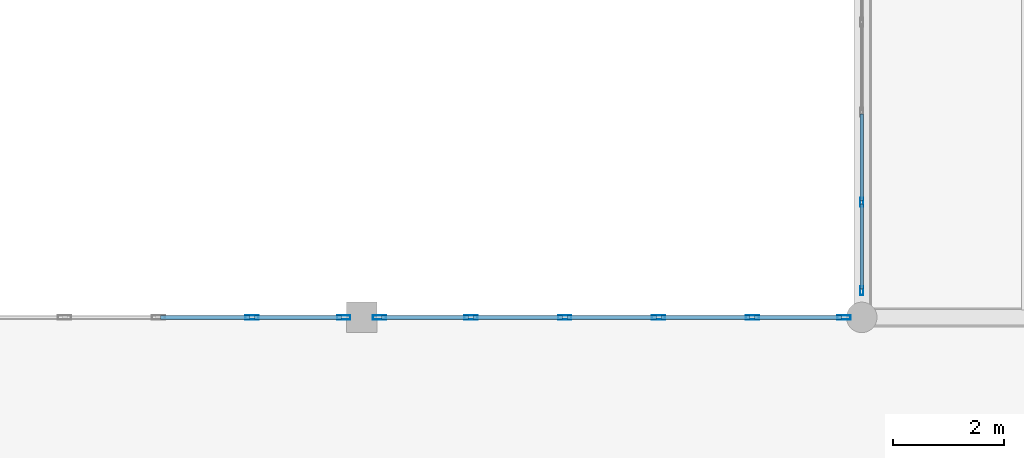
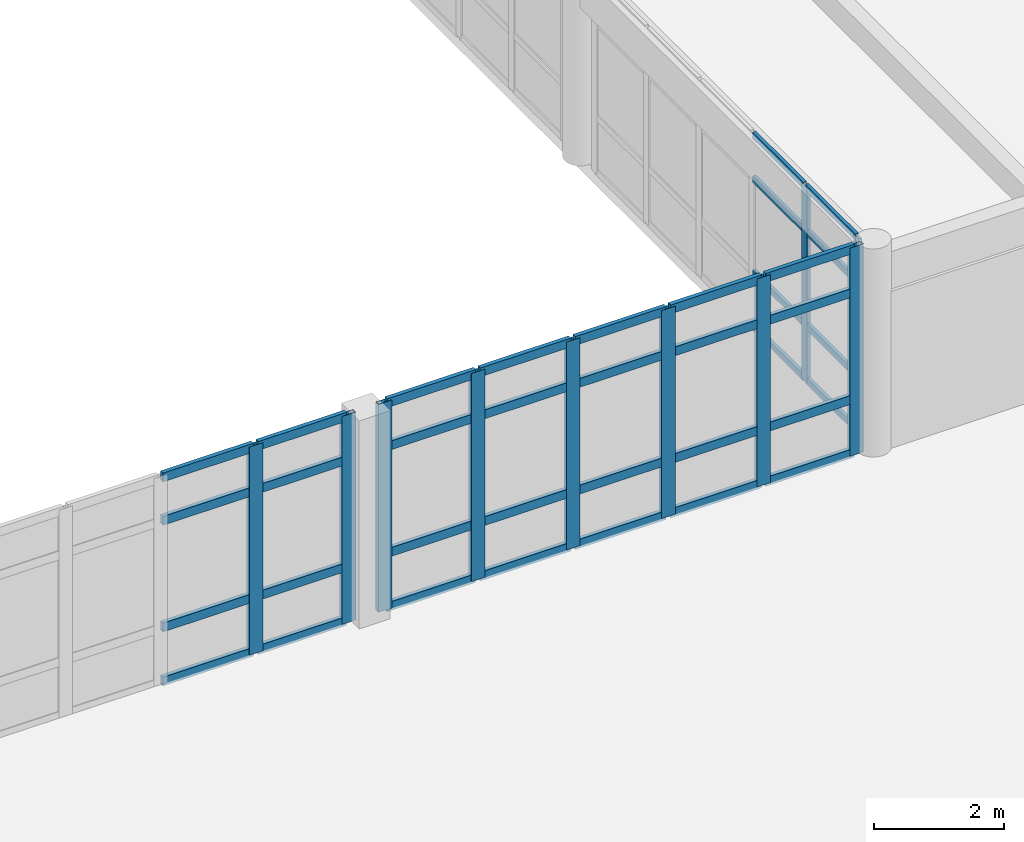
# One storey, part 27 of 156: 46 members, 3 elements without a shape of their own.
"""IFC4 building model written with IfcOpenShell, lengths in metres."""

from ifc_helpers import new_model, si_unit, direction, frame, origin, origin_2d, place, context, subcontext, project, spatial, hollow_rectangle, extrude, material, layer, layer_set, material_profile, profile_set, type_object, element, aggregate, save


model = new_model("IFC4")

# Units and contexts
model_context = context("Model", 3, precision=1e-05, world=origin(), true_north=direction((0.0, 1.0)))
body_context = subcontext(model_context, "Body", "Model", "MODEL_VIEW")
ifc_project = project(units=[si_unit("LENGTHUNIT", "METRE"), si_unit("AREAUNIT", "SQUARE_METRE"), si_unit("VOLUMEUNIT", "CUBIC_METRE"), si_unit("PLANEANGLEUNIT", "RADIAN"), si_unit("MASSUNIT", "GRAM", prefix="KILO")], contexts=[model_context])

# Site, building, storey
site_placement = place(None, origin())
site = spatial("IfcSite", under=ifc_project, at=site_placement, CompositionType="ELEMENT")
building_placement = place(site_placement, origin())
building = spatial("IfcBuilding", under=site, at=building_placement, Name="Ornek Quay Market", CompositionType="ELEMENT")
storey_placement = place(building_placement, frame((0.0, 0.0, 4.5)))
storey = spatial("IfcBuildingStorey", under=building, at=storey_placement, Name="L01", CompositionType="ELEMENT", Elevation=4.5)

# Curtain wall, members
ifc_material_1 = material(Name="Anodised bronze aluminium and triple low-e glass", Category="aluminium")
ifc_layer_1 = layer(ifc_material_1, 0.139892578125, Name="Anodised bronze aluminium and triple low-e glass", Category="aluminium")
ifc_layer_set_1 = layer_set([ifc_layer_1], Name="Anodised bronze aluminium and triple low-e glass")
curtain_wall_type_1 = type_object("IfcCurtainWallType", Name="CW-GALLERY-INT", PredefinedType="USERDEFINED", material=ifc_layer_set_1)
curtain_wall_1_placement = place(storey_placement, origin())
curtain_wall_1 = element("IfcCurtainWall", 1, at=curtain_wall_1_placement, inside=storey, type_object=curtain_wall_type_1, Name="Curtain wall CW-103", ObjectType="CURTAIN WALL", PredefinedType="USERDEFINED")
ifc_material_2 = material(Name="Anodised aluminium 6063-T6", Category="aluminium")
ifc_material_profile_1 = material_profile(ifc_material_2, hollow_rectangle(XDim=0.06005859375, YDim=0.159912109375, WallThickness=0.00390625, at=origin_2d()), Name="CW-MUL-60x160", Category="aluminium")
ifc_profile_set_1 = profile_set([ifc_material_profile_1], Name="Anodised aluminium 6063-T6")
member_type_1 = type_object("IfcMemberType", Name="CW-MUL-60x160", PredefinedType="MULLION", material=ifc_profile_set_1)
member_1_placement = place(storey_placement, frame((108.0, 29.47998046875, 0.0), z_axis=(0.0, 0.0, 1.0), x_axis=(-1.0, 0.0, 0.0)))
member_1 = element("IfcMember", 2, at=member_1_placement, type_object=member_type_1, Name="CW-103 mullion 1", PredefinedType="MULLION", context=body_context, shape_type="SweptSolid", body=[
    extrude(hollow_rectangle(XDim=0.06005859375, YDim=0.159912109375, WallThickness=0.00390625, at=origin_2d()), origin(), (0.0, 0.0, 1.0), 3.659912109375),
])
member_2_placement = place(storey_placement, frame((108.0, 31.070068359375, 0.0), z_axis=(0.0, 0.0, 1.0), x_axis=(-1.0, 0.0, 0.0)))
member_2 = element("IfcMember", 3, at=member_2_placement, type_object=member_type_1, Name="CW-103 mullion 2", PredefinedType="MULLION", context=body_context, shape_type="SweptSolid", body=[
    extrude(hollow_rectangle(XDim=0.06005859375, YDim=0.159912109375, WallThickness=0.00390625, at=origin_2d()), origin(), (0.0, 0.0, 1.0), 3.659912109375),
])

ifc_layer_2 = layer(ifc_material_1, 0.239990234375, Name="Anodised bronze aluminium and triple low-e glass", Category="aluminium")
ifc_layer_set_2 = layer_set([ifc_layer_2], Name="Anodised bronze aluminium and triple low-e glass")
curtain_wall_type_2 = type_object("IfcCurtainWallType", Name="CW-GAB-MOD1800", PredefinedType="USERDEFINED", material=ifc_layer_set_2)
curtain_wall_2_placement = place(storey_placement, origin())
curtain_wall_2 = element("IfcCurtainWall", 4, at=curtain_wall_2_placement, inside=storey, type_object=curtain_wall_type_2, Name="Curtain wall CW-071", ObjectType="CURTAIN WALL", PredefinedType="USERDEFINED")
ifc_material_profile_2 = material_profile(ifc_material_2, hollow_rectangle(XDim=0.080078125, YDim=0.239990234375, WallThickness=0.006103515625, at=origin_2d()), Name="CW-MUL-80x240", Category="aluminium")
ifc_profile_set_2 = profile_set([ifc_material_profile_2], Name="Anodised aluminium 6063-T6")
member_type_2 = type_object("IfcMemberType", Name="CW-MUL-80x240", PredefinedType="MULLION", material=ifc_profile_set_2)
member_3_placement = place(storey_placement, frame((97.031982421875, 29.0, 0.0), z_axis=(0.0, 0.0, 1.0), x_axis=(0.0, 1.0, 0.0)))
member_3 = element("IfcMember", 5, at=member_3_placement, type_object=member_type_2, Name="CW-071 mullion 5", PredefinedType="MULLION", context=body_context, shape_type="SweptSolid", body=[
    extrude(hollow_rectangle(XDim=0.080078125, YDim=0.239990234375, WallThickness=0.006103515625, at=origin_2d()), origin(), (0.0, 0.0, 1.0), 3.89990234375),
])
member_4_placement = place(storey_placement, frame((98.679931640625, 29.0, 0.0), z_axis=(0.0, 0.0, 1.0), x_axis=(0.0, 1.0, 0.0)))
member_4 = element("IfcMember", 6, at=member_4_placement, type_object=member_type_2, Name="CW-071 mullion 6", PredefinedType="MULLION", context=body_context, shape_type="SweptSolid", body=[
    extrude(hollow_rectangle(XDim=0.080078125, YDim=0.239990234375, WallThickness=0.006103515625, at=origin_2d()), origin(), (0.0, 0.0, 1.0), 3.89990234375),
])

curtain_wall_3_placement = place(storey_placement, origin())
curtain_wall_3 = element("IfcCurtainWall", 7, at=curtain_wall_3_placement, inside=storey, type_object=curtain_wall_type_2, Name="Curtain wall CW-074", ObjectType="CURTAIN WALL", PredefinedType="USERDEFINED")
member_5_placement = place(storey_placement, frame((99.320068359375, 29.0, 0.0), z_axis=(0.0, 0.0, 1.0), x_axis=(0.0, 1.0, 0.0)))
member_5 = element("IfcMember", 8, at=member_5_placement, type_object=member_type_2, Name="CW-074 mullion 1", PredefinedType="MULLION", context=body_context, shape_type="SweptSolid", body=[
    extrude(hollow_rectangle(XDim=0.080078125, YDim=0.239990234375, WallThickness=0.006103515625, at=origin_2d()), origin(), (0.0, 0.0, 1.0), 3.89990234375),
])
member_6_placement = place(storey_placement, frame((100.968017578125, 29.0, 0.0), z_axis=(0.0, 0.0, 1.0), x_axis=(0.0, 1.0, 0.0)))
member_6 = element("IfcMember", 9, at=member_6_placement, type_object=member_type_2, Name="CW-074 mullion 2", PredefinedType="MULLION", context=body_context, shape_type="SweptSolid", body=[
    extrude(hollow_rectangle(XDim=0.080078125, YDim=0.239990234375, WallThickness=0.006103515625, at=origin_2d()), origin(), (0.0, 0.0, 1.0), 3.89990234375),
])
member_7_placement = place(storey_placement, frame((102.656005859375, 29.0, 0.0), z_axis=(0.0, 0.0, 1.0), x_axis=(0.0, 1.0, 0.0)))
member_7 = element("IfcMember", 10, at=member_7_placement, type_object=member_type_2, Name="CW-074 mullion 3", PredefinedType="MULLION", context=body_context, shape_type="SweptSolid", body=[
    extrude(hollow_rectangle(XDim=0.080078125, YDim=0.239990234375, WallThickness=0.006103515625, at=origin_2d()), origin(), (0.0, 0.0, 1.0), 3.89990234375),
])
member_8_placement = place(storey_placement, frame((104.343994140625, 29.0, 0.0), z_axis=(0.0, 0.0, 1.0), x_axis=(0.0, 1.0, 0.0)))
member_8 = element("IfcMember", 11, at=member_8_placement, type_object=member_type_2, Name="CW-074 mullion 4", PredefinedType="MULLION", context=body_context, shape_type="SweptSolid", body=[
    extrude(hollow_rectangle(XDim=0.080078125, YDim=0.239990234375, WallThickness=0.006103515625, at=origin_2d()), origin(), (0.0, 0.0, 1.0), 3.89990234375),
])
member_9_placement = place(storey_placement, frame((106.031982421875, 29.0, 0.0), z_axis=(0.0, 0.0, 1.0), x_axis=(0.0, 1.0, 0.0)))
member_9 = element("IfcMember", 12, at=member_9_placement, type_object=member_type_2, Name="CW-074 mullion 5", PredefinedType="MULLION", context=body_context, shape_type="SweptSolid", body=[
    extrude(hollow_rectangle(XDim=0.080078125, YDim=0.239990234375, WallThickness=0.006103515625, at=origin_2d()), origin(), (0.0, 0.0, 1.0), 3.89990234375),
])
member_10_placement = place(storey_placement, frame((107.679931640625, 29.0, 0.0), z_axis=(0.0, 0.0, 1.0), x_axis=(0.0, 1.0, 0.0)))
member_10 = element("IfcMember", 13, at=member_10_placement, type_object=member_type_2, Name="CW-074 mullion 6", PredefinedType="MULLION", context=body_context, shape_type="SweptSolid", body=[
    extrude(hollow_rectangle(XDim=0.080078125, YDim=0.239990234375, WallThickness=0.006103515625, at=origin_2d()), origin(), (0.0, 0.0, 1.0), 3.89990234375),
])

# Member
ifc_material_profile_3 = material_profile(ifc_material_2, hollow_rectangle(XDim=0.06005859375, YDim=0.1201171875, WallThickness=0.00390625, at=origin_2d()), Name="CW-TRN-60x120", Category="aluminium")
ifc_profile_set_3 = profile_set([ifc_material_profile_3], Name="Anodised aluminium 6063-T6")
member_type_3 = type_object("IfcMemberType", Name="CW-TRN-60x120", PredefinedType="USERDEFINED", material=ifc_profile_set_3)
member_11_placement = place(storey_placement, frame((108.0, 29.510009765625, 0.030029296875), z_axis=(0.0, 1.0, 0.0), x_axis=(-1.0, 0.0, 0.0)))
member_11 = element("IfcMember", 14, at=member_11_placement, type_object=member_type_3, Name="CW-103 transom 1.1", ObjectType="TRANSOM", PredefinedType="USERDEFINED", context=body_context, shape_type="SweptSolid", body=[
    extrude(hollow_rectangle(XDim=0.06005859375, YDim=0.1201171875, WallThickness=0.00390625, at=origin_2d()), origin(), (0.0, 0.0, 1.0), 1.530029296875),
])

member_12_placement = place(storey_placement, frame((108.0, 29.510009765625, 1.050048828125), z_axis=(0.0, 1.0, 0.0), x_axis=(-1.0, 0.0, 0.0)))
member_12 = element("IfcMember", 15, at=member_12_placement, type_object=member_type_3, Name="CW-103 transom 1.2", ObjectType="TRANSOM", PredefinedType="USERDEFINED", context=body_context, shape_type="SweptSolid", body=[
    extrude(hollow_rectangle(XDim=0.06005859375, YDim=0.1201171875, WallThickness=0.00390625, at=origin_2d()), origin(), (0.0, 0.0, 1.0), 1.530029296875),
])

member_13_placement = place(storey_placement, frame((108.0, 29.510009765625, 2.81005859375), z_axis=(0.0, 1.0, 0.0), x_axis=(-1.0, 0.0, 0.0)))
member_13 = element("IfcMember", 16, at=member_13_placement, type_object=member_type_3, Name="CW-103 transom 1.3", ObjectType="TRANSOM", PredefinedType="USERDEFINED", context=body_context, shape_type="SweptSolid", body=[
    extrude(hollow_rectangle(XDim=0.06005859375, YDim=0.1201171875, WallThickness=0.00390625, at=origin_2d()), origin(), (0.0, 0.0, 1.0), 1.530029296875),
])

member_14_placement = place(storey_placement, frame((108.0, 29.510009765625, 3.6298828125), z_axis=(0.0, 1.0, 0.0), x_axis=(-1.0, 0.0, 0.0)))
member_14 = element("IfcMember", 17, at=member_14_placement, type_object=member_type_3, Name="CW-103 transom 1.4", ObjectType="TRANSOM", PredefinedType="USERDEFINED", context=body_context, shape_type="SweptSolid", body=[
    extrude(hollow_rectangle(XDim=0.06005859375, YDim=0.1201171875, WallThickness=0.00390625, at=origin_2d()), origin(), (0.0, 0.0, 1.0), 1.530029296875),
])

member_15_placement = place(storey_placement, frame((108.0, 31.10009765625, 0.030029296875), z_axis=(0.0, 1.0, 0.0), x_axis=(-1.0, 0.0, 0.0)))
member_15 = element("IfcMember", 18, at=member_15_placement, type_object=member_type_3, Name="CW-103 transom 2.1", ObjectType="TRANSOM", PredefinedType="USERDEFINED", context=body_context, shape_type="SweptSolid", body=[
    extrude(hollow_rectangle(XDim=0.06005859375, YDim=0.1201171875, WallThickness=0.00390625, at=origin_2d()), origin(), (0.0, 0.0, 1.0), 1.559814453125),
])

member_16_placement = place(storey_placement, frame((108.0, 31.10009765625, 1.050048828125), z_axis=(0.0, 1.0, 0.0), x_axis=(-1.0, 0.0, 0.0)))
member_16 = element("IfcMember", 19, at=member_16_placement, type_object=member_type_3, Name="CW-103 transom 2.2", ObjectType="TRANSOM", PredefinedType="USERDEFINED", context=body_context, shape_type="SweptSolid", body=[
    extrude(hollow_rectangle(XDim=0.06005859375, YDim=0.1201171875, WallThickness=0.00390625, at=origin_2d()), origin(), (0.0, 0.0, 1.0), 1.559814453125),
])

member_17_placement = place(storey_placement, frame((108.0, 31.10009765625, 2.81005859375), z_axis=(0.0, 1.0, 0.0), x_axis=(-1.0, 0.0, 0.0)))
member_17 = element("IfcMember", 20, at=member_17_placement, type_object=member_type_3, Name="CW-103 transom 2.3", ObjectType="TRANSOM", PredefinedType="USERDEFINED", context=body_context, shape_type="SweptSolid", body=[
    extrude(hollow_rectangle(XDim=0.06005859375, YDim=0.1201171875, WallThickness=0.00390625, at=origin_2d()), origin(), (0.0, 0.0, 1.0), 1.559814453125),
])

member_18_placement = place(storey_placement, frame((108.0, 31.10009765625, 3.6298828125), z_axis=(0.0, 1.0, 0.0), x_axis=(-1.0, 0.0, 0.0)))
member_18 = element("IfcMember", 21, at=member_18_placement, type_object=member_type_3, Name="CW-103 transom 2.4", ObjectType="TRANSOM", PredefinedType="USERDEFINED", context=body_context, shape_type="SweptSolid", body=[
    extrude(hollow_rectangle(XDim=0.06005859375, YDim=0.1201171875, WallThickness=0.00390625, at=origin_2d()), origin(), (0.0, 0.0, 1.0), 1.559814453125),
])

aggregate(curtain_wall_1, [member_1, member_2, member_11, member_12, member_13, member_14, member_15, member_16, member_17, member_18])

ifc_material_profile_4 = material_profile(ifc_material_2, hollow_rectangle(XDim=0.074951171875, YDim=0.1650390625, WallThickness=0.0048828125, at=origin_2d()), Name="CW-TRN-75x165", Category="aluminium")
ifc_profile_set_4 = profile_set([ifc_material_profile_4], Name="Anodised aluminium 6063-T6")
member_type_4 = type_object("IfcMemberType", Name="CW-TRN-75x165", PredefinedType="USERDEFINED", material=ifc_profile_set_4)
member_19_placement = place(storey_placement, frame((95.384033203125, 29.0, 0.03759765625), z_axis=(1.0, 0.0, 0.0), x_axis=(0.0, 1.0, 0.0)))
member_19 = element("IfcMember", 22, at=member_19_placement, type_object=member_type_4, Name="CW-071 transom 4.1", ObjectType="TRANSOM", PredefinedType="USERDEFINED", context=body_context, shape_type="SweptSolid", body=[
    extrude(hollow_rectangle(XDim=0.074951171875, YDim=0.1650390625, WallThickness=0.0048828125, at=origin_2d()), origin(), (0.0, 0.0, 1.0), 1.60791015625),
])

member_20_placement = place(storey_placement, frame((95.384033203125, 29.0, 1.050048828125), z_axis=(1.0, 0.0, 0.0), x_axis=(0.0, 1.0, 0.0)))
member_20 = element("IfcMember", 23, at=member_20_placement, type_object=member_type_4, Name="CW-071 transom 4.2", ObjectType="TRANSOM", PredefinedType="USERDEFINED", context=body_context, shape_type="SweptSolid", body=[
    extrude(hollow_rectangle(XDim=0.074951171875, YDim=0.1650390625, WallThickness=0.0048828125, at=origin_2d()), origin(), (0.0, 0.0, 1.0), 1.60791015625),
])

member_21_placement = place(storey_placement, frame((95.384033203125, 29.0, 3.050048828125), z_axis=(1.0, 0.0, 0.0), x_axis=(0.0, 1.0, 0.0)))
member_21 = element("IfcMember", 24, at=member_21_placement, type_object=member_type_4, Name="CW-071 transom 4.3", ObjectType="TRANSOM", PredefinedType="USERDEFINED", context=body_context, shape_type="SweptSolid", body=[
    extrude(hollow_rectangle(XDim=0.074951171875, YDim=0.1650390625, WallThickness=0.0048828125, at=origin_2d()), origin(), (0.0, 0.0, 1.0), 1.60791015625),
])

member_22_placement = place(storey_placement, frame((95.384033203125, 29.0, 3.862548828125), z_axis=(1.0, 0.0, 0.0), x_axis=(0.0, 1.0, 0.0)))
member_22 = element("IfcMember", 25, at=member_22_placement, type_object=member_type_4, Name="CW-071 transom 4.4", ObjectType="TRANSOM", PredefinedType="USERDEFINED", context=body_context, shape_type="SweptSolid", body=[
    extrude(hollow_rectangle(XDim=0.074951171875, YDim=0.1650390625, WallThickness=0.0048828125, at=origin_2d()), origin(), (0.0, 0.0, 1.0), 1.60791015625),
])

member_23_placement = place(storey_placement, frame((97.072021484375, 29.0, 0.03759765625), z_axis=(1.0, 0.0, 0.0), x_axis=(0.0, 1.0, 0.0)))
member_23 = element("IfcMember", 26, at=member_23_placement, type_object=member_type_4, Name="CW-071 transom 5.1", ObjectType="TRANSOM", PredefinedType="USERDEFINED", context=body_context, shape_type="SweptSolid", body=[
    extrude(hollow_rectangle(XDim=0.074951171875, YDim=0.1650390625, WallThickness=0.0048828125, at=origin_2d()), origin(), (0.0, 0.0, 1.0), 1.56787109375),
])

member_24_placement = place(storey_placement, frame((97.072021484375, 29.0, 1.050048828125), z_axis=(1.0, 0.0, 0.0), x_axis=(0.0, 1.0, 0.0)))
member_24 = element("IfcMember", 27, at=member_24_placement, type_object=member_type_4, Name="CW-071 transom 5.2", ObjectType="TRANSOM", PredefinedType="USERDEFINED", context=body_context, shape_type="SweptSolid", body=[
    extrude(hollow_rectangle(XDim=0.074951171875, YDim=0.1650390625, WallThickness=0.0048828125, at=origin_2d()), origin(), (0.0, 0.0, 1.0), 1.56787109375),
])

member_25_placement = place(storey_placement, frame((97.072021484375, 29.0, 3.050048828125), z_axis=(1.0, 0.0, 0.0), x_axis=(0.0, 1.0, 0.0)))
member_25 = element("IfcMember", 28, at=member_25_placement, type_object=member_type_4, Name="CW-071 transom 5.3", ObjectType="TRANSOM", PredefinedType="USERDEFINED", context=body_context, shape_type="SweptSolid", body=[
    extrude(hollow_rectangle(XDim=0.074951171875, YDim=0.1650390625, WallThickness=0.0048828125, at=origin_2d()), origin(), (0.0, 0.0, 1.0), 1.56787109375),
])

member_26_placement = place(storey_placement, frame((97.072021484375, 29.0, 3.862548828125), z_axis=(1.0, 0.0, 0.0), x_axis=(0.0, 1.0, 0.0)))
member_26 = element("IfcMember", 29, at=member_26_placement, type_object=member_type_4, Name="CW-071 transom 5.4", ObjectType="TRANSOM", PredefinedType="USERDEFINED", context=body_context, shape_type="SweptSolid", body=[
    extrude(hollow_rectangle(XDim=0.074951171875, YDim=0.1650390625, WallThickness=0.0048828125, at=origin_2d()), origin(), (0.0, 0.0, 1.0), 1.56787109375),
])

aggregate(curtain_wall_2, [member_3, member_4, member_19, member_20, member_21, member_22, member_23, member_24, member_25, member_26])

member_27_placement = place(storey_placement, frame((99.360107421875, 29.0, 0.03759765625), z_axis=(1.0, 0.0, 0.0), x_axis=(0.0, 1.0, 0.0)))
member_27 = element("IfcMember", 30, at=member_27_placement, type_object=member_type_4, Name="CW-074 transom 1.1", ObjectType="TRANSOM", PredefinedType="USERDEFINED", context=body_context, shape_type="SweptSolid", body=[
    extrude(hollow_rectangle(XDim=0.074951171875, YDim=0.1650390625, WallThickness=0.0048828125, at=origin_2d()), origin(), (0.0, 0.0, 1.0), 1.56787109375),
])

member_28_placement = place(storey_placement, frame((99.360107421875, 29.0, 1.050048828125), z_axis=(1.0, 0.0, 0.0), x_axis=(0.0, 1.0, 0.0)))
member_28 = element("IfcMember", 31, at=member_28_placement, type_object=member_type_4, Name="CW-074 transom 1.2", ObjectType="TRANSOM", PredefinedType="USERDEFINED", context=body_context, shape_type="SweptSolid", body=[
    extrude(hollow_rectangle(XDim=0.074951171875, YDim=0.1650390625, WallThickness=0.0048828125, at=origin_2d()), origin(), (0.0, 0.0, 1.0), 1.56787109375),
])

member_29_placement = place(storey_placement, frame((99.360107421875, 29.0, 3.050048828125), z_axis=(1.0, 0.0, 0.0), x_axis=(0.0, 1.0, 0.0)))
member_29 = element("IfcMember", 32, at=member_29_placement, type_object=member_type_4, Name="CW-074 transom 1.3", ObjectType="TRANSOM", PredefinedType="USERDEFINED", context=body_context, shape_type="SweptSolid", body=[
    extrude(hollow_rectangle(XDim=0.074951171875, YDim=0.1650390625, WallThickness=0.0048828125, at=origin_2d()), origin(), (0.0, 0.0, 1.0), 1.56787109375),
])

member_30_placement = place(storey_placement, frame((99.360107421875, 29.0, 3.862548828125), z_axis=(1.0, 0.0, 0.0), x_axis=(0.0, 1.0, 0.0)))
member_30 = element("IfcMember", 33, at=member_30_placement, type_object=member_type_4, Name="CW-074 transom 1.4", ObjectType="TRANSOM", PredefinedType="USERDEFINED", context=body_context, shape_type="SweptSolid", body=[
    extrude(hollow_rectangle(XDim=0.074951171875, YDim=0.1650390625, WallThickness=0.0048828125, at=origin_2d()), origin(), (0.0, 0.0, 1.0), 1.56787109375),
])

member_31_placement = place(storey_placement, frame((101.008056640625, 29.0, 0.03759765625), z_axis=(1.0, 0.0, 0.0), x_axis=(0.0, 1.0, 0.0)))
member_31 = element("IfcMember", 34, at=member_31_placement, type_object=member_type_4, Name="CW-074 transom 2.1", ObjectType="TRANSOM", PredefinedType="USERDEFINED", context=body_context, shape_type="SweptSolid", body=[
    extrude(hollow_rectangle(XDim=0.074951171875, YDim=0.1650390625, WallThickness=0.0048828125, at=origin_2d()), origin(), (0.0, 0.0, 1.0), 1.60791015625),
])

member_32_placement = place(storey_placement, frame((101.008056640625, 29.0, 1.050048828125), z_axis=(1.0, 0.0, 0.0), x_axis=(0.0, 1.0, 0.0)))
member_32 = element("IfcMember", 35, at=member_32_placement, type_object=member_type_4, Name="CW-074 transom 2.2", ObjectType="TRANSOM", PredefinedType="USERDEFINED", context=body_context, shape_type="SweptSolid", body=[
    extrude(hollow_rectangle(XDim=0.074951171875, YDim=0.1650390625, WallThickness=0.0048828125, at=origin_2d()), origin(), (0.0, 0.0, 1.0), 1.60791015625),
])

member_33_placement = place(storey_placement, frame((101.008056640625, 29.0, 3.050048828125), z_axis=(1.0, 0.0, 0.0), x_axis=(0.0, 1.0, 0.0)))
member_33 = element("IfcMember", 36, at=member_33_placement, type_object=member_type_4, Name="CW-074 transom 2.3", ObjectType="TRANSOM", PredefinedType="USERDEFINED", context=body_context, shape_type="SweptSolid", body=[
    extrude(hollow_rectangle(XDim=0.074951171875, YDim=0.1650390625, WallThickness=0.0048828125, at=origin_2d()), origin(), (0.0, 0.0, 1.0), 1.60791015625),
])

member_34_placement = place(storey_placement, frame((101.008056640625, 29.0, 3.862548828125), z_axis=(1.0, 0.0, 0.0), x_axis=(0.0, 1.0, 0.0)))
member_34 = element("IfcMember", 37, at=member_34_placement, type_object=member_type_4, Name="CW-074 transom 2.4", ObjectType="TRANSOM", PredefinedType="USERDEFINED", context=body_context, shape_type="SweptSolid", body=[
    extrude(hollow_rectangle(XDim=0.074951171875, YDim=0.1650390625, WallThickness=0.0048828125, at=origin_2d()), origin(), (0.0, 0.0, 1.0), 1.60791015625),
])

member_35_placement = place(storey_placement, frame((102.696044921875, 29.0, 0.03759765625), z_axis=(1.0, 0.0, 0.0), x_axis=(0.0, 1.0, 0.0)))
member_35 = element("IfcMember", 38, at=member_35_placement, type_object=member_type_4, Name="CW-074 transom 3.1", ObjectType="TRANSOM", PredefinedType="USERDEFINED", context=body_context, shape_type="SweptSolid", body=[
    extrude(hollow_rectangle(XDim=0.074951171875, YDim=0.1650390625, WallThickness=0.0048828125, at=origin_2d()), origin(), (0.0, 0.0, 1.0), 1.60791015625),
])

member_36_placement = place(storey_placement, frame((102.696044921875, 29.0, 1.050048828125), z_axis=(1.0, 0.0, 0.0), x_axis=(0.0, 1.0, 0.0)))
member_36 = element("IfcMember", 39, at=member_36_placement, type_object=member_type_4, Name="CW-074 transom 3.2", ObjectType="TRANSOM", PredefinedType="USERDEFINED", context=body_context, shape_type="SweptSolid", body=[
    extrude(hollow_rectangle(XDim=0.074951171875, YDim=0.1650390625, WallThickness=0.0048828125, at=origin_2d()), origin(), (0.0, 0.0, 1.0), 1.60791015625),
])

member_37_placement = place(storey_placement, frame((102.696044921875, 29.0, 3.050048828125), z_axis=(1.0, 0.0, 0.0), x_axis=(0.0, 1.0, 0.0)))
member_37 = element("IfcMember", 40, at=member_37_placement, type_object=member_type_4, Name="CW-074 transom 3.3", ObjectType="TRANSOM", PredefinedType="USERDEFINED", context=body_context, shape_type="SweptSolid", body=[
    extrude(hollow_rectangle(XDim=0.074951171875, YDim=0.1650390625, WallThickness=0.0048828125, at=origin_2d()), origin(), (0.0, 0.0, 1.0), 1.60791015625),
])

member_38_placement = place(storey_placement, frame((102.696044921875, 29.0, 3.862548828125), z_axis=(1.0, 0.0, 0.0), x_axis=(0.0, 1.0, 0.0)))
member_38 = element("IfcMember", 41, at=member_38_placement, type_object=member_type_4, Name="CW-074 transom 3.4", ObjectType="TRANSOM", PredefinedType="USERDEFINED", context=body_context, shape_type="SweptSolid", body=[
    extrude(hollow_rectangle(XDim=0.074951171875, YDim=0.1650390625, WallThickness=0.0048828125, at=origin_2d()), origin(), (0.0, 0.0, 1.0), 1.60791015625),
])

member_39_placement = place(storey_placement, frame((104.384033203125, 29.0, 0.03759765625), z_axis=(1.0, 0.0, 0.0), x_axis=(0.0, 1.0, 0.0)))
member_39 = element("IfcMember", 42, at=member_39_placement, type_object=member_type_4, Name="CW-074 transom 4.1", ObjectType="TRANSOM", PredefinedType="USERDEFINED", context=body_context, shape_type="SweptSolid", body=[
    extrude(hollow_rectangle(XDim=0.074951171875, YDim=0.1650390625, WallThickness=0.0048828125, at=origin_2d()), origin(), (0.0, 0.0, 1.0), 1.60791015625),
])

member_40_placement = place(storey_placement, frame((104.384033203125, 29.0, 1.050048828125), z_axis=(1.0, 0.0, 0.0), x_axis=(0.0, 1.0, 0.0)))
member_40 = element("IfcMember", 43, at=member_40_placement, type_object=member_type_4, Name="CW-074 transom 4.2", ObjectType="TRANSOM", PredefinedType="USERDEFINED", context=body_context, shape_type="SweptSolid", body=[
    extrude(hollow_rectangle(XDim=0.074951171875, YDim=0.1650390625, WallThickness=0.0048828125, at=origin_2d()), origin(), (0.0, 0.0, 1.0), 1.60791015625),
])

member_41_placement = place(storey_placement, frame((104.384033203125, 29.0, 3.050048828125), z_axis=(1.0, 0.0, 0.0), x_axis=(0.0, 1.0, 0.0)))
member_41 = element("IfcMember", 44, at=member_41_placement, type_object=member_type_4, Name="CW-074 transom 4.3", ObjectType="TRANSOM", PredefinedType="USERDEFINED", context=body_context, shape_type="SweptSolid", body=[
    extrude(hollow_rectangle(XDim=0.074951171875, YDim=0.1650390625, WallThickness=0.0048828125, at=origin_2d()), origin(), (0.0, 0.0, 1.0), 1.60791015625),
])

member_42_placement = place(storey_placement, frame((104.384033203125, 29.0, 3.862548828125), z_axis=(1.0, 0.0, 0.0), x_axis=(0.0, 1.0, 0.0)))
member_42 = element("IfcMember", 45, at=member_42_placement, type_object=member_type_4, Name="CW-074 transom 4.4", ObjectType="TRANSOM", PredefinedType="USERDEFINED", context=body_context, shape_type="SweptSolid", body=[
    extrude(hollow_rectangle(XDim=0.074951171875, YDim=0.1650390625, WallThickness=0.0048828125, at=origin_2d()), origin(), (0.0, 0.0, 1.0), 1.60791015625),
])

member_43_placement = place(storey_placement, frame((106.072021484375, 29.0, 0.03759765625), z_axis=(1.0, 0.0, 0.0), x_axis=(0.0, 1.0, 0.0)))
member_43 = element("IfcMember", 46, at=member_43_placement, type_object=member_type_4, Name="CW-074 transom 5.1", ObjectType="TRANSOM", PredefinedType="USERDEFINED", context=body_context, shape_type="SweptSolid", body=[
    extrude(hollow_rectangle(XDim=0.074951171875, YDim=0.1650390625, WallThickness=0.0048828125, at=origin_2d()), origin(), (0.0, 0.0, 1.0), 1.56787109375),
])

member_44_placement = place(storey_placement, frame((106.072021484375, 29.0, 1.050048828125), z_axis=(1.0, 0.0, 0.0), x_axis=(0.0, 1.0, 0.0)))
member_44 = element("IfcMember", 47, at=member_44_placement, type_object=member_type_4, Name="CW-074 transom 5.2", ObjectType="TRANSOM", PredefinedType="USERDEFINED", context=body_context, shape_type="SweptSolid", body=[
    extrude(hollow_rectangle(XDim=0.074951171875, YDim=0.1650390625, WallThickness=0.0048828125, at=origin_2d()), origin(), (0.0, 0.0, 1.0), 1.56787109375),
])

member_45_placement = place(storey_placement, frame((106.072021484375, 29.0, 3.050048828125), z_axis=(1.0, 0.0, 0.0), x_axis=(0.0, 1.0, 0.0)))
member_45 = element("IfcMember", 48, at=member_45_placement, type_object=member_type_4, Name="CW-074 transom 5.3", ObjectType="TRANSOM", PredefinedType="USERDEFINED", context=body_context, shape_type="SweptSolid", body=[
    extrude(hollow_rectangle(XDim=0.074951171875, YDim=0.1650390625, WallThickness=0.0048828125, at=origin_2d()), origin(), (0.0, 0.0, 1.0), 1.56787109375),
])

member_46_placement = place(storey_placement, frame((106.072021484375, 29.0, 3.862548828125), z_axis=(1.0, 0.0, 0.0), x_axis=(0.0, 1.0, 0.0)))
member_46 = element("IfcMember", 49, at=member_46_placement, type_object=member_type_4, Name="CW-074 transom 5.4", ObjectType="TRANSOM", PredefinedType="USERDEFINED", context=body_context, shape_type="SweptSolid", body=[
    extrude(hollow_rectangle(XDim=0.074951171875, YDim=0.1650390625, WallThickness=0.0048828125, at=origin_2d()), origin(), (0.0, 0.0, 1.0), 1.56787109375),
])

aggregate(curtain_wall_3, [member_5, member_6, member_7, member_8, member_9, member_10, member_27, member_28, member_29, member_30, member_31, member_32, member_33, member_34, member_35, member_36, member_37, member_38, member_39, member_40, member_41, member_42, member_43, member_44, member_45, member_46])

save(model, "model.ifc")
